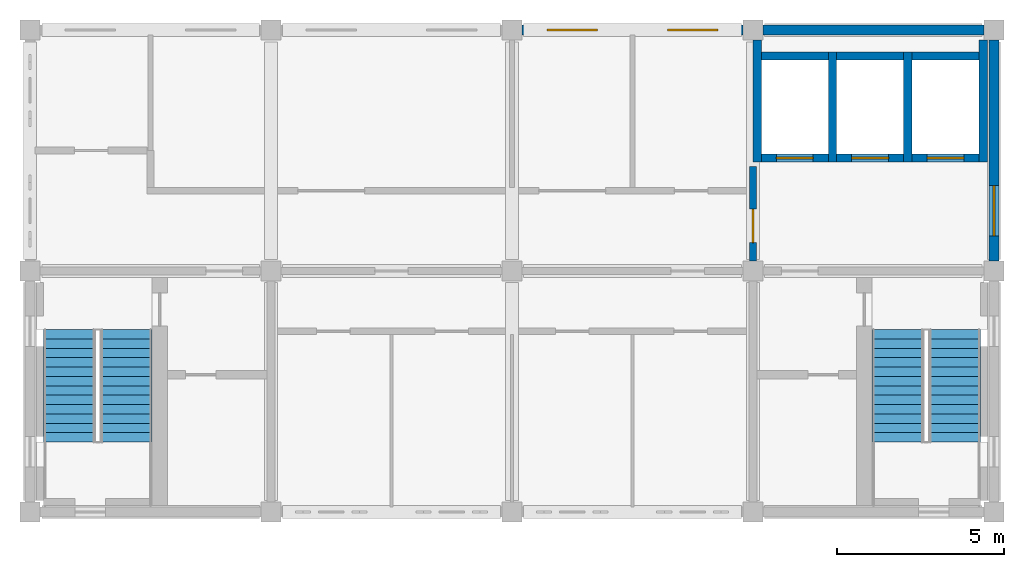
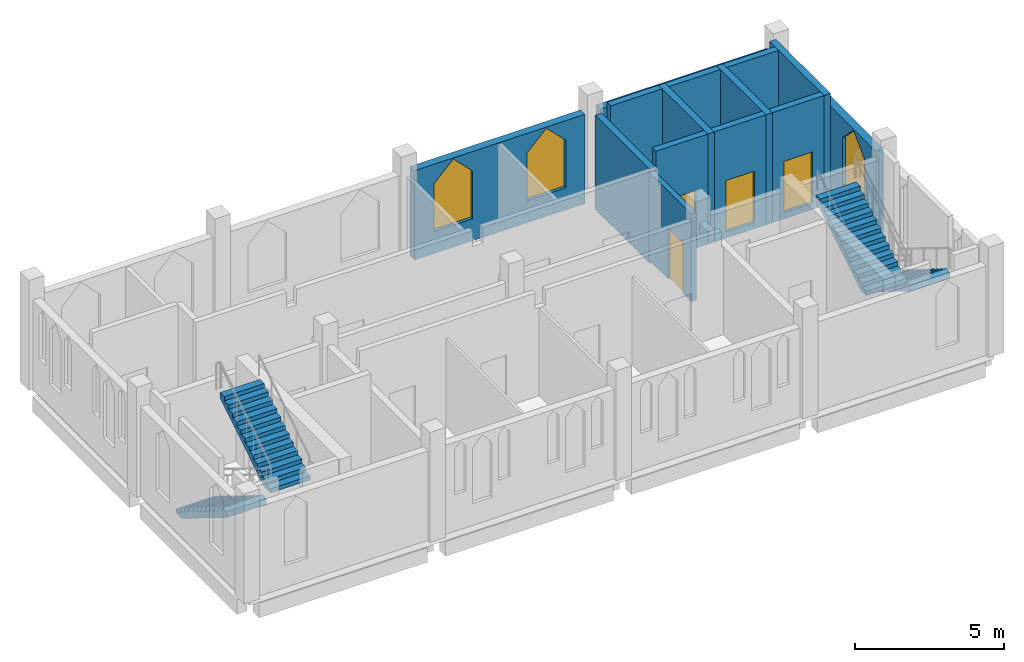
# One storey, part 4 of 5: 14 walls, 4 doors, 4 stair flights, 3 windows, 7 openings, 2 elements without a shape of their own.
"""IFC4 building model written with IfcOpenShell, lengths in metres."""

from ifc_helpers import new_model, si_unit, direction, frame, frame_2d, origin, place, context, subcontext, project, spatial, polyline, rectangle, outline, extrude, material, layer, layer_set, type_object, element, fill, aggregate, save


model = new_model("IFC4")

# Units and contexts
model_context = context("Model", 3, precision=1e-05, world=origin(), true_north=direction((0.0, 1.0)))
body_context = subcontext(model_context, "Body", "Model", "MODEL_VIEW")
ifc_project = project(units=[si_unit("LENGTHUNIT", "METRE"), si_unit("AREAUNIT", "SQUARE_METRE"), si_unit("VOLUMEUNIT", "CUBIC_METRE"), si_unit("PLANEANGLEUNIT", "RADIAN"), si_unit("MASSUNIT", "GRAM", prefix="KILO")], contexts=[model_context])

# Site, building, storey
site_placement = place(None, origin())
site = spatial("IfcSite", under=ifc_project, at=site_placement, CompositionType="ELEMENT")
building_placement = place(site_placement, origin())
building = spatial("IfcBuilding", under=site, at=building_placement, Name="Silangan Lancet Faculty of Sciences", CompositionType="ELEMENT")
storey_placement = place(building_placement, frame((0.0, 0.0, 72.300048828125)))
storey = spatial("IfcBuildingStorey", under=building, at=storey_placement, Name="L15", CompositionType="ELEMENT", Elevation=72.300048828125)

# Wall, opening, window
ifc_material_1 = material(Name="Concrete C40/50 precast", Category="concrete")
ifc_layer_1 = layer(ifc_material_1, 0.300048828125)
ifc_layer_set_1 = layer_set([ifc_layer_1], Name="Concrete C40/50 precast")
wall_type_1 = type_object("IfcWallType", Name="EW1 Precast cladding wall", PredefinedType="STANDARD", material=ifc_layer_set_1)
wall_1_placement = place(storey_placement, frame((28.800048828125, 7.5, 0.0), z_axis=(0.0, 0.0, 1.0), x_axis=(0.0, 1.0, 0.0)))
wall_1 = element("IfcWall", 1, at=wall_1_placement, inside=storey, type_object=wall_type_1, Name="EW-L15-E-ST-U-01", PredefinedType="STANDARD", context=body_context, shape_type="SweptSolid", body=[
    extrude(rectangle(XDim=6.60009765625, YDim=0.300048828125, at=frame_2d((3.300048828125, 0.0))), origin(), (0.0, 0.0, 1.0), 3.64990234375),
])
opening_1_placement = place(wall_1_placement, frame((0.75, 0.0, 0.89990234375)))
opening_1 = element("IfcOpeningElement", 2, at=opening_1_placement, cuts=wall_1, Name="Opening W23", PredefinedType="OPENING", context=body_context, shape_type="SweptSolid", body=[
    extrude(outline(polyline([(0.0, 0.0), (1.5, 0.0), (1.5, 1.949951171875), (0.75, 2.699951171875), (0.0, 1.949951171875), (0.0, 0.0)])), frame((0.0, 0.159912109375, 0.0), z_axis=(0.0, -1.0, 0.0), x_axis=(1.0, 0.0, 0.0)), (0.0, 0.0, 1.0), 0.320068359375),
])
ifc_material_2 = material(Name="Aluminium frame, laminated double glazing", Category="aluminium")
window_type = type_object("IfcWindowType", Name="W23 Lancet window 1500 x 2700", PartitioningType="SINGLE_PANEL", PredefinedType="WINDOW", material=ifc_material_2)
window_1_placement = place(opening_1_placement, origin())
window_1 = element("IfcWindow", 3, at=window_1_placement, inside=storey, type_object=window_type, Name="WIN-L15-E-ST-U-01a", OverallHeight=2.699951171875, OverallWidth=1.5, PartitioningType="SINGLE_PANEL", PredefinedType="WINDOW", context=body_context, shape_type="SweptSolid", body=[
    extrude(outline(polyline([(0.0, 0.0), (1.5, 0.0), (1.5, 1.949951171875), (0.75, 2.699951171875), (0.0, 1.949951171875), (0.0, 0.0)])), frame((0.0, 0.030029296875, 0.0), z_axis=(0.0, -1.0, 0.0), x_axis=(1.0, 0.0, 0.0)), (0.0, 0.0, 1.0), 0.06005859375),
])
fill(opening_1, window_1)

# Wall
wall_2_placement = place(storey_placement, frame((28.5, 14.39990234375, 0.0), z_axis=(0.0, 0.0, 1.0), x_axis=(-1.0, 0.0, 0.0)))
element("IfcWall", 4, at=wall_2_placement, inside=storey, type_object=wall_type_1, Name="EW-L15-N-ST-U-00", PredefinedType="STANDARD", context=body_context, shape_type="SweptSolid", body=[
    extrude(rectangle(XDim=6.60009765625, YDim=0.300048828125, at=frame_2d((3.300048828125, 0.0))), origin(), (0.0, 0.0, 1.0), 3.64990234375),
])

# Wall, openings, windows
wall_3_placement = place(storey_placement, frame((21.300048828125, 14.39990234375, 0.0), z_axis=(0.0, 0.0, 1.0), x_axis=(-1.0, 0.0, 0.0)))
wall_3 = element("IfcWall", 5, at=wall_3_placement, inside=storey, type_object=wall_type_1, Name="EW-L15-N-ST-U-01", PredefinedType="STANDARD", context=body_context, shape_type="SweptSolid", body=[
    extrude(rectangle(XDim=6.60009765625, YDim=0.300048828125, at=frame_2d((3.300048828125, 0.0))), origin(), (0.0, 0.0, 1.0), 3.64990234375),
])
opening_2_placement = place(wall_3_placement, frame((0.75, 0.0, 0.89990234375)))
opening_2 = element("IfcOpeningElement", 6, at=opening_2_placement, cuts=wall_3, Name="Opening W23", PredefinedType="OPENING", context=body_context, shape_type="SweptSolid", body=[
    extrude(outline(polyline([(0.0, 0.0), (1.5, 0.0), (1.5, 1.949951171875), (0.75, 2.699951171875), (0.0, 1.949951171875), (0.0, 0.0)])), frame((0.0, 0.159912109375, 0.0), z_axis=(0.0, -1.0, 0.0), x_axis=(1.0, 0.0, 0.0)), (0.0, 0.0, 1.0), 0.320068359375),
])
opening_3_placement = place(wall_3_placement, frame((4.35009765625, 0.0, 0.89990234375)))
opening_3 = element("IfcOpeningElement", 7, at=opening_3_placement, cuts=wall_3, Name="Opening W23", PredefinedType="OPENING", context=body_context, shape_type="SweptSolid", body=[
    extrude(outline(polyline([(0.0, 0.0), (1.5, 0.0), (1.5, 1.949951171875), (0.75, 2.699951171875), (0.0, 1.949951171875), (0.0, 0.0)])), frame((0.0, 0.159912109375, 0.0), z_axis=(0.0, -1.0, 0.0), x_axis=(1.0, 0.0, 0.0)), (0.0, 0.0, 1.0), 0.320068359375),
])
window_2_placement = place(opening_2_placement, origin())
window_2 = element("IfcWindow", 8, at=window_2_placement, inside=storey, type_object=window_type, Name="WIN-L15-N-ST-U-01a", OverallHeight=2.699951171875, OverallWidth=1.5, PartitioningType="SINGLE_PANEL", PredefinedType="WINDOW", context=body_context, shape_type="SweptSolid", body=[
    extrude(outline(polyline([(0.0, 0.0), (1.5, 0.0), (1.5, 1.949951171875), (0.75, 2.699951171875), (0.0, 1.949951171875), (0.0, 0.0)])), frame((0.0, 0.030029296875, 0.0), z_axis=(0.0, -1.0, 0.0), x_axis=(1.0, 0.0, 0.0)), (0.0, 0.0, 1.0), 0.06005859375),
])
fill(opening_2, window_2)
window_3_placement = place(opening_3_placement, origin())
window_3 = element("IfcWindow", 9, at=window_3_placement, inside=storey, type_object=window_type, Name="WIN-L15-N-ST-U-01b", OverallHeight=2.699951171875, OverallWidth=1.5, PartitioningType="SINGLE_PANEL", PredefinedType="WINDOW", context=body_context, shape_type="SweptSolid", body=[
    extrude(outline(polyline([(0.0, 0.0), (1.5, 0.0), (1.5, 1.949951171875), (0.75, 2.699951171875), (0.0, 1.949951171875), (0.0, 0.0)])), frame((0.0, 0.030029296875, 0.0), z_axis=(0.0, -1.0, 0.0), x_axis=(1.0, 0.0, 0.0)), (0.0, 0.0, 1.0), 0.06005859375),
])
fill(opening_3, window_3)

# Wall, opening, door
ifc_material_3 = material(Name="Hollow block masonry fm 7 MPa", Category="masonry")
ifc_layer_2 = layer(ifc_material_3, 0.199951171875)
ifc_layer_set_2 = layer_set([ifc_layer_2], Name="Hollow block masonry fm 7 MPa")
wall_type_2 = type_object("IfcWallType", Name="Interior wall PW9 Lift lobby wall CHB 200", PredefinedType="PARTITIONING", material=ifc_layer_set_2)
wall_4_placement = place(storey_placement, frame((21.60009765625, 7.5, 0.0), z_axis=(0.0, 0.0, 1.0), x_axis=(0.0, 1.0, 0.0)))
wall_4 = element("IfcWall", 10, at=wall_4_placement, inside=storey, type_object=wall_type_2, Name="Lift lobby wall CHB 200", PredefinedType="PARTITIONING", context=body_context, shape_type="SweptSolid", body=[
    extrude(rectangle(XDim=2.824951171875, YDim=0.199951171875, at=frame_2d((1.41259765625, 0.0))), origin(), (0.0, 0.0, 1.0), 3.599853515625),
])
opening_4_placement = place(wall_4_placement, frame((0.550048828125, 0.0, 0.0)))
opening_4 = element("IfcOpeningElement", 11, at=opening_4_placement, cuts=wall_4, Name="Opening L15-001", PredefinedType="OPENING", context=body_context, shape_type="SweptSolid", body=[
    extrude(rectangle(XDim=1.0, YDim=2.10009765625, at=frame_2d((0.5, 1.050048828125))), frame((0.0, 0.10986328125, 0.0), z_axis=(0.0, -1.0, 0.0), x_axis=(1.0, 0.0, 0.0)), (0.0, 0.0, 1.0), 0.219970703125),
])
ifc_material_4 = material(Name="Steel fire door set", Category="steel")
door_type_1 = type_object("IfcDoorType", Name="Door D1 Single leaf fire door 1000 x 2100", OperationType="SINGLE_SWING_LEFT", PredefinedType="DOOR", material=ifc_material_4)
door_1_placement = place(opening_4_placement, origin())
door_1 = element("IfcDoor", 12, at=door_1_placement, inside=storey, type_object=door_type_1, Name="Single leaf fire door 1000 x 2100", OperationType="SINGLE_SWING_RIGHT", OverallHeight=2.10009765625, OverallWidth=1.0, PredefinedType="DOOR", context=body_context, shape_type="SweptSolid", body=[
    extrude(rectangle(XDim=1.0, YDim=2.10009765625, at=frame_2d((0.5, 1.050048828125))), frame((0.0, 0.02490234375, 0.0), z_axis=(0.0, -1.0, 0.0), x_axis=(1.0, 0.0, 0.0)), (0.0, 0.0, 1.0), 0.050048828125),
])
fill(opening_4, door_1)

# Walls
ifc_material_5 = material(Name="Concrete C40/50", Category="concrete")
ifc_layer_3 = layer(ifc_material_5, 0.25)
ifc_layer_set_3 = layer_set([ifc_layer_3], Name="Concrete C40/50")
wall_type_3 = type_object("IfcWallType", Name="LIFT SHAFT WALL RC 250", PredefinedType="SHEAR", material=ifc_layer_set_3)
wall_5_placement = place(storey_placement, frame((21.72509765625, 10.449951171875, -0.25), z_axis=(0.0, 0.0, 1.0), x_axis=(0.0, 1.0, 0.0)))
element("IfcWall", 13, at=wall_5_placement, inside=storey, type_object=wall_type_3, Name="WALL-L15-ST-SW1", PredefinedType="SHEAR", context=body_context, shape_type="SweptSolid", body=[
    extrude(rectangle(XDim=3.650146484375, YDim=0.25, at=frame_2d((1.8251953125, 0.0))), origin(), (0.0, 0.0, 1.0), 3.849853515625),
])
for number, where, z_axis, x_axis, name in (
    (14, (23.97509765625, 10.449951171875, -0.25), (0.0, 0.0, 1.0), (0.0, 1.0, 0.0), "WALL-L15-ST-SW2"),
    (15, (26.22509765625, 10.449951171875, -0.25), (0.0, 0.0, 1.0), (0.0, 1.0, 0.0), "WALL-L15-ST-SW3"),
):
    element("IfcWall", number, at=place(storey_placement, frame(where, z_axis=z_axis, x_axis=x_axis)), inside=storey, type_object=wall_type_3, Name=name, PredefinedType="SHEAR", context=body_context, shape_type="SweptSolid", body=[
        extrude(rectangle(XDim=3.300048828125, YDim=0.25, at=frame_2d((1.64990234375, 0.0))), origin(), (0.0, 0.0, 1.0), 4.5),
    ])
wall_6_placement = place(storey_placement, frame((28.47509765625, 10.449951171875, -0.25), z_axis=(0.0, 0.0, 1.0), x_axis=(0.0, 1.0, 0.0)))
element("IfcWall", 16, at=wall_6_placement, inside=storey, type_object=wall_type_3, Name="WALL-L15-ST-SW4", PredefinedType="SHEAR", context=body_context, shape_type="SweptSolid", body=[
    extrude(rectangle(XDim=3.650146484375, YDim=0.25, at=frame_2d((1.8251953125, 0.0))), origin(), (0.0, 0.0, 1.0), 4.5),
])

# Wall, opening, door
wall_7_placement = place(storey_placement, frame((21.85009765625, 10.574951171875, -0.25), z_axis=(0.0, 0.0, 1.0), x_axis=(1.0, 0.0, 0.0)))
wall_7 = element("IfcWall", 17, at=wall_7_placement, inside=storey, type_object=wall_type_3, Name="WALL-L15-ST-L1-F", PredefinedType="SHEAR", context=body_context, shape_type="SweptSolid", body=[
    extrude(rectangle(XDim=2.0, YDim=0.25, at=frame_2d((1.0, 0.0))), origin(), (0.0, 0.0, 1.0), 4.5),
])
opening_5_placement = place(wall_7_placement, frame((0.449951171875, 0.0, 0.25)))
opening_5 = element("IfcOpeningElement", 18, at=opening_5_placement, cuts=wall_7, Name="Opening L15-801", PredefinedType="OPENING", context=body_context, shape_type="SweptSolid", body=[
    extrude(rectangle(XDim=1.10009765625, YDim=2.10009765625, at=frame_2d((0.550048828125, 1.050048828125))), frame((0.0, 0.135009765625, 0.0), z_axis=(0.0, -1.0, 0.0), x_axis=(1.0, 0.0, 0.0)), (0.0, 0.0, 1.0), 0.27001953125),
])
ifc_material_6 = material(Name="Stainless steel sliding door", Category="steel")
door_type_2 = type_object("IfcDoorType", Name="LD1 Lift landing door 1100x2100", OperationType="SLIDING_TO_LEFT", PredefinedType="DOOR", material=ifc_material_6)
door_2_placement = place(opening_5_placement, origin())
door_2 = element("IfcDoor", 19, at=door_2_placement, inside=storey, type_object=door_type_2, Name="Landing door ST-L1 L15", OperationType="SLIDING_TO_LEFT", OverallHeight=2.10009765625, OverallWidth=1.10009765625, PredefinedType="DOOR", context=body_context, shape_type="SweptSolid", body=[
    extrude(rectangle(XDim=1.10009765625, YDim=2.10009765625, at=frame_2d((0.550048828125, 1.050048828125))), frame((0.0, 0.02490234375, 0.0), z_axis=(0.0, -1.0, 0.0), x_axis=(1.0, 0.0, 0.0)), (0.0, 0.0, 1.0), 0.050048828125),
])
fill(opening_5, door_2)

# Wall
wall_8_placement = place(storey_placement, frame((21.85009765625, 13.625, -0.25), z_axis=(0.0, 0.0, 1.0), x_axis=(1.0, 0.0, 0.0)))
element("IfcWall", 20, at=wall_8_placement, inside=storey, type_object=wall_type_3, Name="WALL-L15-ST-L1-B", PredefinedType="SHEAR", context=body_context, shape_type="SweptSolid", body=[
    extrude(rectangle(XDim=2.0, YDim=0.25, at=frame_2d((1.0, 0.0))), origin(), (0.0, 0.0, 1.0), 4.5),
])

# Wall, opening, door
wall_9_placement = place(storey_placement, frame((24.10009765625, 10.574951171875, -0.25), z_axis=(0.0, 0.0, 1.0), x_axis=(1.0, 0.0, 0.0)))
wall_9 = element("IfcWall", 21, at=wall_9_placement, inside=storey, type_object=wall_type_3, Name="WALL-L15-ST-L2-F", PredefinedType="SHEAR", context=body_context, shape_type="SweptSolid", body=[
    extrude(rectangle(XDim=2.0, YDim=0.25, at=frame_2d((1.0, 0.0))), origin(), (0.0, 0.0, 1.0), 4.5),
])
opening_6_placement = place(wall_9_placement, frame((0.449951171875, 0.0, 0.25)))
opening_6 = element("IfcOpeningElement", 22, at=opening_6_placement, cuts=wall_9, Name="Opening L15-802", PredefinedType="OPENING", context=body_context, shape_type="SweptSolid", body=[
    extrude(rectangle(XDim=1.10009765625, YDim=2.10009765625, at=frame_2d((0.550048828125, 1.050048828125))), frame((0.0, 0.135009765625, 0.0), z_axis=(0.0, -1.0, 0.0), x_axis=(1.0, 0.0, 0.0)), (0.0, 0.0, 1.0), 0.27001953125),
])
door_3_placement = place(opening_6_placement, origin())
door_3 = element("IfcDoor", 23, at=door_3_placement, inside=storey, type_object=door_type_2, Name="Landing door ST-L2 L15", OperationType="SLIDING_TO_LEFT", OverallHeight=2.10009765625, OverallWidth=1.10009765625, PredefinedType="DOOR", context=body_context, shape_type="SweptSolid", body=[
    extrude(rectangle(XDim=1.10009765625, YDim=2.10009765625, at=frame_2d((0.550048828125, 1.050048828125))), frame((0.0, 0.02490234375, 0.0), z_axis=(0.0, -1.0, 0.0), x_axis=(1.0, 0.0, 0.0)), (0.0, 0.0, 1.0), 0.050048828125),
])
fill(opening_6, door_3)

# Wall
wall_10_placement = place(storey_placement, frame((24.10009765625, 13.625, -0.25), z_axis=(0.0, 0.0, 1.0), x_axis=(1.0, 0.0, 0.0)))
element("IfcWall", 24, at=wall_10_placement, inside=storey, type_object=wall_type_3, Name="WALL-L15-ST-L2-B", PredefinedType="SHEAR", context=body_context, shape_type="SweptSolid", body=[
    extrude(rectangle(XDim=2.0, YDim=0.25, at=frame_2d((1.0, 0.0))), origin(), (0.0, 0.0, 1.0), 4.5),
])

# Wall, opening, door
wall_11_placement = place(storey_placement, frame((26.35009765625, 10.574951171875, -0.25), z_axis=(0.0, 0.0, 1.0), x_axis=(1.0, 0.0, 0.0)))
wall_11 = element("IfcWall", 25, at=wall_11_placement, inside=storey, type_object=wall_type_3, Name="WALL-L15-ST-L3-F", PredefinedType="SHEAR", context=body_context, shape_type="SweptSolid", body=[
    extrude(rectangle(XDim=2.0, YDim=0.25, at=frame_2d((1.0, 0.0))), origin(), (0.0, 0.0, 1.0), 4.5),
])
opening_7_placement = place(wall_11_placement, frame((0.449951171875, 0.0, 0.25)))
opening_7 = element("IfcOpeningElement", 26, at=opening_7_placement, cuts=wall_11, Name="Opening L15-803", PredefinedType="OPENING", context=body_context, shape_type="SweptSolid", body=[
    extrude(rectangle(XDim=1.10009765625, YDim=2.10009765625, at=frame_2d((0.550048828125, 1.050048828125))), frame((0.0, 0.135009765625, 0.0), z_axis=(0.0, -1.0, 0.0), x_axis=(1.0, 0.0, 0.0)), (0.0, 0.0, 1.0), 0.27001953125),
])
door_4_placement = place(opening_7_placement, origin())
door_4 = element("IfcDoor", 27, at=door_4_placement, inside=storey, type_object=door_type_2, Name="Landing door ST-L3 L15", OperationType="SLIDING_TO_LEFT", OverallHeight=2.10009765625, OverallWidth=1.10009765625, PredefinedType="DOOR", context=body_context, shape_type="SweptSolid", body=[
    extrude(rectangle(XDim=1.10009765625, YDim=2.10009765625, at=frame_2d((0.550048828125, 1.050048828125))), frame((0.0, 0.02490234375, 0.0), z_axis=(0.0, -1.0, 0.0), x_axis=(1.0, 0.0, 0.0)), (0.0, 0.0, 1.0), 0.050048828125),
])
fill(opening_7, door_4)

# Wall
wall_12_placement = place(storey_placement, frame((26.35009765625, 13.625, -0.25), z_axis=(0.0, 0.0, 1.0), x_axis=(1.0, 0.0, 0.0)))
element("IfcWall", 28, at=wall_12_placement, inside=storey, type_object=wall_type_3, Name="WALL-L15-ST-L3-B", PredefinedType="SHEAR", context=body_context, shape_type="SweptSolid", body=[
    extrude(rectangle(XDim=2.0, YDim=0.25, at=frame_2d((1.0, 0.0))), origin(), (0.0, 0.0, 1.0), 4.5),
])

# Stair, stair flights
ifc_material_7 = material(Name="Concrete C40/50", Category="concrete")
stair_type = type_object("IfcStairType", Name="TURRET STAIR 1550 TWO-FLIGHT", PredefinedType="HALF_TURN_STAIR", material=ifc_material_7)
stair_1_placement = place(storey_placement, origin())
stair_1 = element("IfcStair", 29, at=stair_1_placement, inside=storey, type_object=stair_type, Name="ST-A stair L15", PredefinedType="HALF_TURN_STAIR")
ifc_material_8 = material(Name="Concrete C40/50", Category="concrete")
stair_flight_type = type_object("IfcStairFlightType", Name="TURRET STAIR FLIGHT 1550", PredefinedType="STRAIGHT", material=ifc_material_8)
stair_flight_1_placement = place(storey_placement, frame((1.175048828125, 5.449951171875, 0.0), z_axis=(0.0, 0.0, 1.0), x_axis=(0.0, -1.0, 0.0)))
stair_flight_1 = element("IfcStairFlight", 30, at=stair_flight_1_placement, type_object=stair_flight_type, Name="STR1 flight 1", NumberOfRisers=13, NumberOfTreads=12, PredefinedType="STRAIGHT", RiserHeight=0.173076923, TreadLength=0.28, context=body_context, shape_type="SweptSolid", body=[
    extrude(outline(polyline([(0.0, 0.0), (0.0, 0.173095703125), (0.280029296875, 0.173095703125), (0.280029296875, 0.34619140625), (0.56005859375, 0.34619140625), (0.56005859375, 0.519287109375), (0.840087890625, 0.519287109375), (0.840087890625, 0.6923828125), (1.1201171875, 0.6923828125), (1.1201171875, 0.865478515625), (1.39990234375, 0.865478515625), (1.39990234375, 1.03857421875), (1.679931640625, 1.03857421875), (1.679931640625, 1.21142578125), (1.9599609375, 1.21142578125), (1.9599609375, 1.384521484375), (2.239990234375, 1.384521484375), (2.239990234375, 1.5576171875), (2.52001953125, 1.5576171875), (2.52001953125, 1.730712890625), (2.800048828125, 1.730712890625), (2.800048828125, 1.90380859375), (3.080078125, 1.90380859375), (3.080078125, 2.076904296875), (3.360107421875, 2.076904296875), (3.360107421875, 2.25), (3.360107421875, 1.841796875), (0.38037109375, 0.0), (0.0, 0.0)])), frame((0.0, 0.77490234375, 0.0), z_axis=(0.0, -1.0, 0.0), x_axis=(1.0, 0.0, 0.0)), (0.0, 0.0, 1.0), 1.550048828125),
])
stair_flight_2_placement = place(storey_placement, frame((2.875, 2.090087890625, 2.25), z_axis=(0.0, 0.0, 1.0), x_axis=(0.0, 1.0, 0.0)))
stair_flight_2 = element("IfcStairFlight", 31, at=stair_flight_2_placement, type_object=stair_flight_type, Name="STR1 flight 2", NumberOfRisers=13, NumberOfTreads=12, PredefinedType="STRAIGHT", RiserHeight=0.173076923, TreadLength=0.28, context=body_context, shape_type="SweptSolid", body=[
    extrude(outline(polyline([(0.0, 0.0), (0.0, 0.173095703125), (0.280029296875, 0.173095703125), (0.280029296875, 0.34619140625), (0.56005859375, 0.34619140625), (0.56005859375, 0.519287109375), (0.840087890625, 0.519287109375), (0.840087890625, 0.6923828125), (1.1201171875, 0.6923828125), (1.1201171875, 0.865478515625), (1.39990234375, 0.865478515625), (1.39990234375, 1.03857421875), (1.679931640625, 1.03857421875), (1.679931640625, 1.21142578125), (1.9599609375, 1.21142578125), (1.9599609375, 1.384521484375), (2.239990234375, 1.384521484375), (2.239990234375, 1.5576171875), (2.52001953125, 1.5576171875), (2.52001953125, 1.730712890625), (2.800048828125, 1.730712890625), (2.800048828125, 1.90380859375), (3.080078125, 1.90380859375), (3.080078125, 2.076904296875), (3.360107421875, 2.076904296875), (3.360107421875, 2.25), (3.360107421875, 1.841796875), (0.38037109375, 0.0), (0.0, 0.0)])), frame((0.0, 0.77490234375, 0.0), z_axis=(0.0, -1.0, 0.0), x_axis=(1.0, 0.0, 0.0)), (0.0, 0.0, 1.0), 1.550048828125),
])
aggregate(stair_1, [stair_flight_1, stair_flight_2])

stair_2_placement = place(storey_placement, origin())
stair_2 = element("IfcStair", 32, at=stair_2_placement, inside=storey, type_object=stair_type, Name="ST-B stair L15", PredefinedType="HALF_TURN_STAIR")
stair_flight_3_placement = place(storey_placement, frame((27.625, 5.449951171875, 0.0), z_axis=(0.0, 0.0, 1.0), x_axis=(0.0, -1.0, 0.0)))
stair_flight_3 = element("IfcStairFlight", 33, at=stair_flight_3_placement, type_object=stair_flight_type, Name="STR2 flight 1", NumberOfRisers=13, NumberOfTreads=12, PredefinedType="STRAIGHT", RiserHeight=0.173076923, TreadLength=0.28, context=body_context, shape_type="SweptSolid", body=[
    extrude(outline(polyline([(0.0, 0.0), (0.0, 0.173095703125), (0.280029296875, 0.173095703125), (0.280029296875, 0.34619140625), (0.56005859375, 0.34619140625), (0.56005859375, 0.519287109375), (0.840087890625, 0.519287109375), (0.840087890625, 0.6923828125), (1.1201171875, 0.6923828125), (1.1201171875, 0.865478515625), (1.39990234375, 0.865478515625), (1.39990234375, 1.03857421875), (1.679931640625, 1.03857421875), (1.679931640625, 1.21142578125), (1.9599609375, 1.21142578125), (1.9599609375, 1.384521484375), (2.239990234375, 1.384521484375), (2.239990234375, 1.5576171875), (2.52001953125, 1.5576171875), (2.52001953125, 1.730712890625), (2.800048828125, 1.730712890625), (2.800048828125, 1.90380859375), (3.080078125, 1.90380859375), (3.080078125, 2.076904296875), (3.360107421875, 2.076904296875), (3.360107421875, 2.25), (3.360107421875, 1.841796875), (0.38037109375, 0.0), (0.0, 0.0)])), frame((0.0, 0.77490234375, 0.0), z_axis=(0.0, -1.0, 0.0), x_axis=(1.0, 0.0, 0.0)), (0.0, 0.0, 1.0), 1.550048828125),
])
stair_flight_4_placement = place(storey_placement, frame((25.925048828125, 2.090087890625, 2.25), z_axis=(0.0, 0.0, 1.0), x_axis=(0.0, 1.0, 0.0)))
stair_flight_4 = element("IfcStairFlight", 34, at=stair_flight_4_placement, type_object=stair_flight_type, Name="STR2 flight 2", NumberOfRisers=13, NumberOfTreads=12, PredefinedType="STRAIGHT", RiserHeight=0.173076923, TreadLength=0.28, context=body_context, shape_type="SweptSolid", body=[
    extrude(outline(polyline([(0.0, 0.0), (0.0, 0.173095703125), (0.280029296875, 0.173095703125), (0.280029296875, 0.34619140625), (0.56005859375, 0.34619140625), (0.56005859375, 0.519287109375), (0.840087890625, 0.519287109375), (0.840087890625, 0.6923828125), (1.1201171875, 0.6923828125), (1.1201171875, 0.865478515625), (1.39990234375, 0.865478515625), (1.39990234375, 1.03857421875), (1.679931640625, 1.03857421875), (1.679931640625, 1.21142578125), (1.9599609375, 1.21142578125), (1.9599609375, 1.384521484375), (2.239990234375, 1.384521484375), (2.239990234375, 1.5576171875), (2.52001953125, 1.5576171875), (2.52001953125, 1.730712890625), (2.800048828125, 1.730712890625), (2.800048828125, 1.90380859375), (3.080078125, 1.90380859375), (3.080078125, 2.076904296875), (3.360107421875, 2.076904296875), (3.360107421875, 2.25), (3.360107421875, 1.841796875), (0.38037109375, 0.0), (0.0, 0.0)])), frame((0.0, 0.77490234375, 0.0), z_axis=(0.0, -1.0, 0.0), x_axis=(1.0, 0.0, 0.0)), (0.0, 0.0, 1.0), 1.550048828125),
])
aggregate(stair_2, [stair_flight_3, stair_flight_4])

save(model, "model.ifc")
